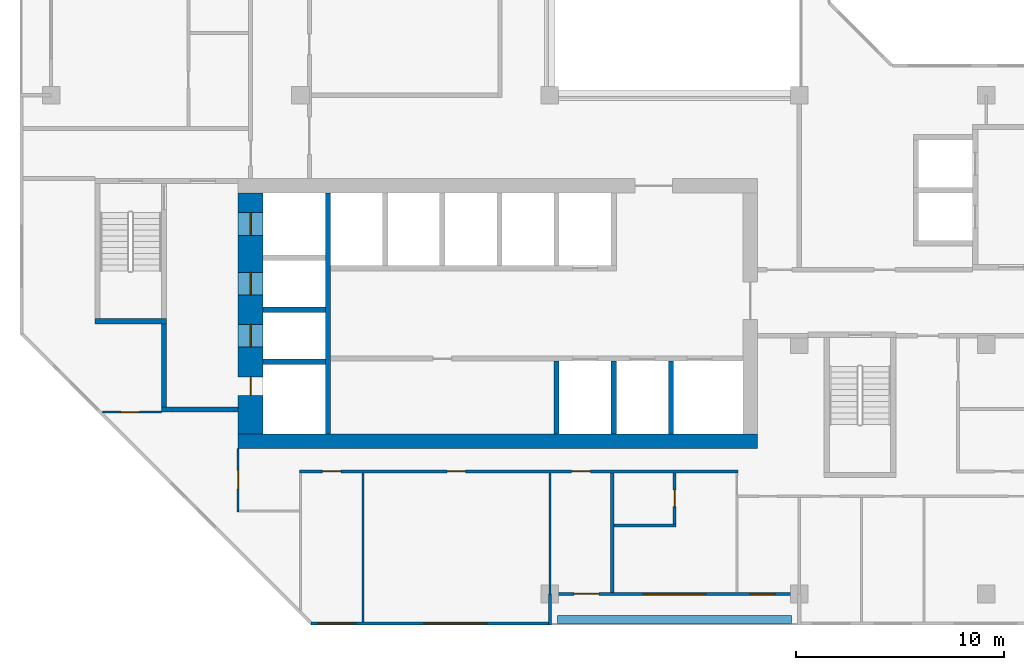
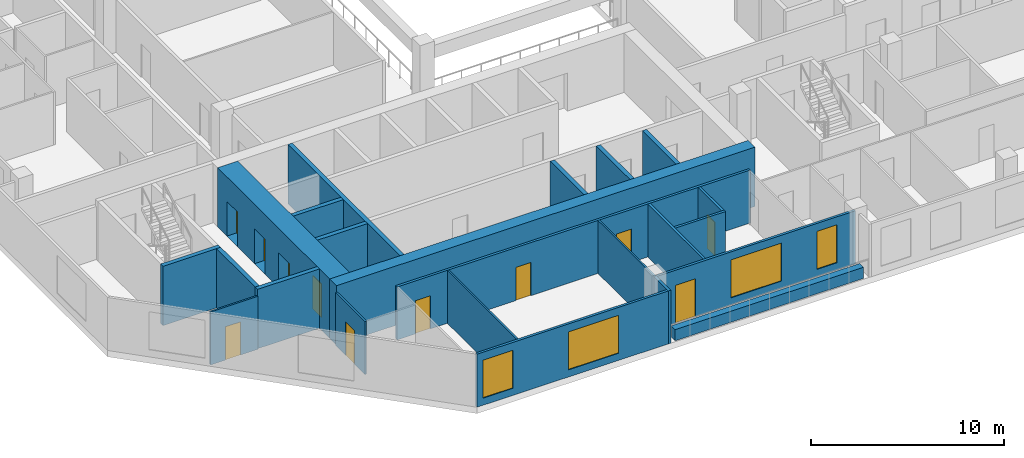
# One storey, part 4 of 14: 23 walls, 11 doors, 4 windows, 15 openings.
"""IFC4 building model written with IfcOpenShell, lengths in metres."""

from ifc_helpers import new_model, si_unit, direction, frame, frame_2d, origin, place, context, subcontext, project, spatial, rectangle, extrude, material, layer, layer_set, type_object, element, fill, save


model = new_model("IFC4")

# Units and contexts
model_context = context("Model", 3, precision=1e-05, world=origin(), true_north=direction((0.0, 1.0)))
body_context = subcontext(model_context, "Body", "Model", "MODEL_VIEW")
ifc_project = project(units=[si_unit("LENGTHUNIT", "METRE"), si_unit("AREAUNIT", "SQUARE_METRE"), si_unit("VOLUMEUNIT", "CUBIC_METRE"), si_unit("PLANEANGLEUNIT", "RADIAN"), si_unit("MASSUNIT", "GRAM", prefix="KILO")], contexts=[model_context])

# Site, building, storey
site_placement = place(None, origin())
site = spatial("IfcSite", under=ifc_project, at=site_placement, CompositionType="ELEMENT")
building_placement = place(site_placement, origin())
building = spatial("IfcBuilding", under=site, at=building_placement, Name="Chenar Terraces", CompositionType="ELEMENT")
storey_placement = place(building_placement, frame((0.0, 0.0, 241.64990234375)))
storey = spatial("IfcBuildingStorey", under=building, at=storey_placement, Name="L57", CompositionType="ELEMENT", Elevation=241.64990234375)

# Wall, openings, doors
ifc_material_1 = material(Name="Concrete C60/75", Category="concrete")
ifc_layer_1 = layer(ifc_material_1, 1.199951171875)
ifc_layer_set_1 = layer_set([ifc_layer_1], Name="Concrete C60/75")
wall_type_1 = type_object("IfcWallType", Name="Core wall 1200 Concrete C60/75", PredefinedType="SHEAR", material=ifc_layer_set_1)
wall_1_placement = place(storey_placement, frame((9.60009765625, 7.699951171875, 0.0), z_axis=(0.0, 0.0, 1.0), x_axis=(0.0, 1.0, 0.0)))
wall_1 = element("IfcWall", 1, at=wall_1_placement, inside=storey, type_object=wall_type_1, Name="Core wall W L57", PredefinedType="SHEAR", context=body_context, shape_type="SweptSolid", body=[
    extrude(rectangle(XDim=11.60009765625, YDim=1.199951171875, at=frame_2d((5.800048828125, 0.0))), origin(), (0.0, 0.0, 1.0), 3.75),
])
opening_1_placement = place(wall_1_placement, frame((4.175048828125, 0.0, 0.0)))
opening_1 = element("IfcOpeningElement", 2, at=opening_1_placement, cuts=wall_1, Name="Opening DL57-LD5", PredefinedType="OPENING", context=body_context, shape_type="SweptSolid", body=[
    extrude(rectangle(XDim=1.10009765625, YDim=2.199951171875, at=frame_2d((0.550048828125, 1.10009765625))), frame((0.0, 0.60986328125, 0.0), z_axis=(0.0, -1.0, 0.0), x_axis=(1.0, 0.0, 0.0)), (0.0, 0.0, 1.0), 1.219970703125),
])
opening_2_placement = place(wall_1_placement, frame((6.675048828125, 0.0, 0.0)))
opening_2 = element("IfcOpeningElement", 3, at=opening_2_placement, cuts=wall_1, Name="Opening DL57-LD6", PredefinedType="OPENING", context=body_context, shape_type="SweptSolid", body=[
    extrude(rectangle(XDim=1.10009765625, YDim=2.199951171875, at=frame_2d((0.550048828125, 1.10009765625))), frame((0.0, 0.60986328125, 0.0), z_axis=(0.0, -1.0, 0.0), x_axis=(1.0, 0.0, 0.0)), (0.0, 0.0, 1.0), 1.219970703125),
])
opening_3_placement = place(wall_1_placement, frame((9.550048828125, 0.0, 0.0)))
opening_3 = element("IfcOpeningElement", 4, at=opening_3_placement, cuts=wall_1, Name="Opening DL57-LD7", PredefinedType="OPENING", context=body_context, shape_type="SweptSolid", body=[
    extrude(rectangle(XDim=1.10009765625, YDim=2.199951171875, at=frame_2d((0.550048828125, 1.10009765625))), frame((0.0, 0.60986328125, 0.0), z_axis=(0.0, -1.0, 0.0), x_axis=(1.0, 0.0, 0.0)), (0.0, 0.0, 1.0), 1.219970703125),
])
opening_4_placement = place(wall_1_placement, frame((1.85009765625, 0.0, 0.0)))
opening_4 = element("IfcOpeningElement", 5, at=opening_4_placement, cuts=wall_1, Name="Opening DL57-C4", PredefinedType="OPENING", context=body_context, shape_type="SweptSolid", body=[
    extrude(rectangle(XDim=0.89990234375, YDim=2.10009765625, at=frame_2d((0.449951171875, 1.050048828125))), frame((0.0, 0.60986328125, 0.0), z_axis=(0.0, -1.0, 0.0), x_axis=(1.0, 0.0, 0.0)), (0.0, 0.0, 1.0), 1.219970703125),
])
ifc_material_2 = material(Name="Stainless steel", Category="steel")
door_type_1 = type_object("IfcDoorType", Name="Lift landing door 1100 x 2200 sliding", OperationType="DOUBLE_DOOR_SLIDING", PredefinedType="DOOR", material=ifc_material_2)
door_1_placement = place(opening_1_placement, origin())
door_1 = element("IfcDoor", 6, at=door_1_placement, inside=storey, type_object=door_type_1, Name="Landing door S1", OperationType="DOUBLE_DOOR_SLIDING", OverallHeight=2.199951171875, OverallWidth=1.10009765625, PredefinedType="DOOR", context=body_context, shape_type="SweptSolid", body=[
    extrude(rectangle(XDim=1.10009765625, YDim=2.199951171875, at=frame_2d((0.550048828125, 1.10009765625))), frame((0.0, 0.02490234375, 0.0), z_axis=(0.0, -1.0, 0.0), x_axis=(1.0, 0.0, 0.0)), (0.0, 0.0, 1.0), 0.050048828125),
])
fill(opening_1, door_1)
door_2_placement = place(opening_2_placement, origin())
door_2 = element("IfcDoor", 7, at=door_2_placement, inside=storey, type_object=door_type_1, Name="Landing door F1", OperationType="DOUBLE_DOOR_SLIDING", OverallHeight=2.199951171875, OverallWidth=1.10009765625, PredefinedType="DOOR", context=body_context, shape_type="SweptSolid", body=[
    extrude(rectangle(XDim=1.10009765625, YDim=2.199951171875, at=frame_2d((0.550048828125, 1.10009765625))), frame((0.0, 0.02490234375, 0.0), z_axis=(0.0, -1.0, 0.0), x_axis=(1.0, 0.0, 0.0)), (0.0, 0.0, 1.0), 0.050048828125),
])
fill(opening_2, door_2)
door_3_placement = place(opening_3_placement, origin())
door_3 = element("IfcDoor", 8, at=door_3_placement, inside=storey, type_object=door_type_1, Name="Landing door F2", OperationType="DOUBLE_DOOR_SLIDING", OverallHeight=2.199951171875, OverallWidth=1.10009765625, PredefinedType="DOOR", context=body_context, shape_type="SweptSolid", body=[
    extrude(rectangle(XDim=1.10009765625, YDim=2.199951171875, at=frame_2d((0.550048828125, 1.10009765625))), frame((0.0, 0.02490234375, 0.0), z_axis=(0.0, -1.0, 0.0), x_axis=(1.0, 0.0, 0.0)), (0.0, 0.0, 1.0), 0.050048828125),
])
fill(opening_3, door_3)
ifc_material_3 = material(Name="Steel-framed fire-resisting door leaf", Category="steel")
door_type_2 = type_object("IfcDoorType", Name="Riser fire door FD60 900 x 2100", OperationType="SINGLE_SWING_LEFT", PredefinedType="DOOR", material=ifc_material_3)
door_4_placement = place(opening_4_placement, frame((0.89990234375, 0.0, 0.0), z_axis=(0.0, 0.0, 1.0), x_axis=(-1.0, 0.0, 0.0)))
door_4 = element("IfcDoor", 9, at=door_4_placement, inside=storey, type_object=door_type_2, Name="Riser door DL57-C4", OperationType="SINGLE_SWING_LEFT", OverallHeight=2.10009765625, OverallWidth=0.89990234375, PredefinedType="DOOR", context=body_context, shape_type="SweptSolid", body=[
    extrude(rectangle(XDim=0.89990234375, YDim=2.10009765625, at=frame_2d((0.449951171875, 1.050048828125))), frame((0.0, 0.02490234375, 0.0), z_axis=(0.0, -1.0, 0.0), x_axis=(1.0, 0.0, 0.0)), (0.0, 0.0, 1.0), 0.050048828125),
])
fill(opening_4, door_4)

# Walls
ifc_material_4 = material(Name="Concrete C60/75", Category="concrete")
ifc_layer_2 = layer(ifc_material_4, 0.25)
ifc_layer_set_2 = layer_set([ifc_layer_2], Name="Concrete C60/75")
wall_type_2 = type_object("IfcWallType", Name="Core wall 250 Concrete C60/75", PredefinedType="SHEAR", material=ifc_layer_set_2)
wall_2_placement = place(storey_placement, frame((13.324951171875, 7.699951171875, 0.0), z_axis=(0.0, 0.0, 1.0), x_axis=(0.0, 1.0, 0.0)))
element("IfcWall", 10, at=wall_2_placement, inside=storey, type_object=wall_type_2, Name="Core wall WI L57", PredefinedType="SHEAR", context=body_context, shape_type="SweptSolid", body=[
    extrude(rectangle(XDim=11.60009765625, YDim=0.25, at=frame_2d((5.800048828125, 0.0))), origin(), (0.0, 0.0, 1.0), 3.75),
])
for number, where, z_axis, x_axis, name in (
    (11, (10.199951171875, 11.175048828125, 0.0), (0.0, 0.0, 1.0), (1.0, 0.0, 0.0), "Core wall HW0 L57"),
    (12, (10.199951171875, 13.675048828125, 0.0), (0.0, 0.0, 1.0), (1.0, 0.0, 0.0), "Core wall HW1 L57"),
):
    element("IfcWall", number, at=place(storey_placement, frame(where, z_axis=z_axis, x_axis=x_axis)), inside=storey, type_object=wall_type_2, Name=name, PredefinedType="SHEAR", context=body_context, shape_type="SweptSolid", body=[
        extrude(rectangle(XDim=3.0, YDim=0.25, at=frame_2d((1.5, 0.0))), origin(), (0.0, 0.0, 1.0), 3.75),
    ])
for number, where, z_axis, x_axis, name in (
    (13, (24.324951171875, 7.699951171875, 0.0), (0.0, 0.0, 1.0), (0.0, 1.0, 0.0), "Core wall SS3 L57"),
    (14, (27.074951171875, 7.699951171875, 0.0), (0.0, 0.0, 1.0), (0.0, 1.0, 0.0), "Core wall SS4 L57"),
    (15, (29.824951171875, 7.699951171875, 0.0), (0.0, 0.0, 1.0), (0.0, 1.0, 0.0), "Core wall SS5 L57"),
):
    element("IfcWall", number, at=place(storey_placement, frame(where, z_axis=z_axis, x_axis=x_axis)), inside=storey, type_object=wall_type_2, Name=name, PredefinedType="SHEAR", context=body_context, shape_type="SweptSolid", body=[
        extrude(rectangle(XDim=3.5, YDim=0.25, at=frame_2d((1.75, 0.0))), origin(), (0.0, 0.0, 1.0), 3.75),
    ])
wall_3_placement = place(storey_placement, frame((2.10009765625, 13.125, 0.0), z_axis=(0.0, 0.0, 1.0), x_axis=(1.0, 0.0, 0.0)))
element("IfcWall", 16, at=wall_3_placement, inside=storey, type_object=wall_type_2, Name="Core wall ST1_S L57", PredefinedType="SHEAR", context=body_context, shape_type="SweptSolid", body=[
    extrude(rectangle(XDim=3.449951171875, YDim=0.25, at=frame_2d((1.72509765625, 0.0))), origin(), (0.0, 0.0, 1.0), 3.75),
])
wall_4_placement = place(storey_placement, frame((5.300048828125, 8.875, 0.0), z_axis=(0.0, 0.0, 1.0), x_axis=(1.0, 0.0, 0.0)))
element("IfcWall", 17, at=wall_4_placement, inside=storey, type_object=wall_type_2, Name="Core wall FFL_S L57", PredefinedType="SHEAR", context=body_context, shape_type="SweptSolid", body=[
    extrude(rectangle(XDim=3.699951171875, YDim=0.25, at=frame_2d((1.85009765625, 0.0))), origin(), (0.0, 0.0, 1.0), 3.75),
])
wall_5_placement = place(storey_placement, frame((5.425048828125, 9.0, 0.0), z_axis=(0.0, 0.0, 1.0), x_axis=(0.0, 1.0, 0.0)))
element("IfcWall", 18, at=wall_5_placement, inside=storey, type_object=wall_type_2, Name="Core wall FFL_W L57", PredefinedType="SHEAR", context=body_context, shape_type="SweptSolid", body=[
    extrude(rectangle(XDim=4.0, YDim=0.25, at=frame_2d((2.0, 0.0))), origin(), (0.0, 0.0, 1.0), 3.75),
])
ifc_material_5 = material(Name="Concrete C60/75", Category="concrete")
ifc_layer_3 = layer(ifc_material_5, 0.699951171875)
ifc_layer_set_3 = layer_set([ifc_layer_3], Name="Concrete C60/75")
wall_type_3 = type_object("IfcWallType", Name="Core wall 700 Concrete C60/75", PredefinedType="SHEAR", material=ifc_layer_set_3)
wall_6_placement = place(storey_placement, frame((9.0, 7.35009765625, 0.0), z_axis=(0.0, 0.0, 1.0), x_axis=(1.0, 0.0, 0.0)))
element("IfcWall", 19, at=wall_6_placement, inside=storey, type_object=wall_type_3, Name="Core wall S L57", PredefinedType="SHEAR", context=body_context, shape_type="SweptSolid", body=[
    extrude(rectangle(XDim=25.0, YDim=0.699951171875, at=frame_2d((12.5, 0.0))), origin(), (0.0, 0.0, 1.0), 3.75),
])

# Wall, openings, windows
ifc_material_6 = material(Name="Aluminium framed glazing", Category="aluminium")
ifc_layer_4 = layer(ifc_material_6, 0.14990234375)
ifc_layer_set_4 = layer_set([ifc_layer_4], Name="Aluminium framed glazing")
wall_type_4 = type_object("IfcWallType", Name="Glazed flush facade wall 150", PredefinedType="SOLIDWALL", material=ifc_layer_set_4)
wall_7_placement = place(storey_placement, frame((12.5, -1.425048828125, 0.0), z_axis=(0.0, 0.0, 1.0), x_axis=(1.0, 0.0, 0.0)))
wall_7 = element("IfcWall", 20, at=wall_7_placement, inside=storey, type_object=wall_type_4, Name="Glazed flush facade wall", PredefinedType="SOLIDWALL", context=body_context, shape_type="SweptSolid", body=[
    extrude(rectangle(XDim=11.425048828125, YDim=0.14990234375, at=frame_2d((5.71240234375, 0.0))), origin(), (0.0, 0.0, 1.0), 3.35009765625),
])
opening_5_placement = place(wall_7_placement, frame((0.35009765625, 0.0, 0.449951171875)))
opening_5 = element("IfcOpeningElement", 21, at=opening_5_placement, cuts=wall_7, Name="Opening W180x240", PredefinedType="OPENING", context=body_context, shape_type="SweptSolid", body=[
    extrude(rectangle(XDim=1.800048828125, YDim=2.39990234375, at=frame_2d((0.89990234375, 1.199951171875))), frame((0.0, 0.0849609375, 0.0), z_axis=(0.0, -1.0, 0.0), x_axis=(1.0, 0.0, 0.0)), (0.0, 0.0, 1.0), 0.169921875),
])
opening_6_placement = place(wall_7_placement, frame((5.46240234375, 0.0, 0.449951171875)))
opening_6 = element("IfcOpeningElement", 22, at=opening_6_placement, cuts=wall_7, Name="Opening W300x240", PredefinedType="OPENING", context=body_context, shape_type="SweptSolid", body=[
    extrude(rectangle(XDim=3.0, YDim=2.39990234375, at=frame_2d((1.5, 1.199951171875))), frame((0.0, 0.0849609375, 0.0), z_axis=(0.0, -1.0, 0.0), x_axis=(1.0, 0.0, 0.0)), (0.0, 0.0, 1.0), 0.169921875),
])
ifc_material_7 = material(Name="Low emissivity double glazing, aluminium frame", Category="aluminium")
window_type_1 = type_object("IfcWindowType", Name="Fixed light 1800 x 2400", PartitioningType="SINGLE_PANEL", PredefinedType="WINDOW", material=ifc_material_7)
window_1_placement = place(opening_5_placement, origin())
window_1 = element("IfcWindow", 23, at=window_1_placement, inside=storey, type_object=window_type_1, Name="Window", OverallHeight=2.39990234375, OverallWidth=1.800048828125, PartitioningType="SINGLE_PANEL", PredefinedType="WINDOW", context=body_context, shape_type="SweptSolid", body=[
    extrude(rectangle(XDim=1.800048828125, YDim=2.39990234375, at=frame_2d((0.89990234375, 1.199951171875))), frame((0.0, 0.030029296875, 0.0), z_axis=(0.0, -1.0, 0.0), x_axis=(1.0, 0.0, 0.0)), (0.0, 0.0, 1.0), 0.06005859375),
])
fill(opening_5, window_1)
ifc_material_8 = material(Name="Low emissivity double glazing, aluminium frame", Category="aluminium")
window_type_2 = type_object("IfcWindowType", Name="Fixed light 3000 x 2400", PartitioningType="SINGLE_PANEL", PredefinedType="WINDOW", material=ifc_material_8)
window_2_placement = place(opening_6_placement, origin())
window_2 = element("IfcWindow", 24, at=window_2_placement, inside=storey, type_object=window_type_2, Name="Window", OverallHeight=2.39990234375, OverallWidth=3.0, PartitioningType="SINGLE_PANEL", PredefinedType="WINDOW", context=body_context, shape_type="SweptSolid", body=[
    extrude(rectangle(XDim=3.0, YDim=2.39990234375, at=frame_2d((1.5, 1.199951171875))), frame((0.0, 0.030029296875, 0.0), z_axis=(0.0, -1.0, 0.0), x_axis=(1.0, 0.0, 0.0)), (0.0, 0.0, 1.0), 0.06005859375),
])
fill(opening_6, window_2)

# Wall, openings, windows, door
ifc_material_9 = material(Name="Aluminium framed glazing", Category="aluminium")
ifc_layer_5 = layer(ifc_material_9, 0.14990234375)
ifc_layer_set_5 = layer_set([ifc_layer_5], Name="Aluminium framed glazing")
wall_type_5 = type_object("IfcWallType", Name="Glazed loggia back wall 150", PredefinedType="SOLIDWALL", material=ifc_layer_set_5)
wall_8_placement = place(storey_placement, frame((24.074951171875, 0.0, 0.0), z_axis=(0.0, 0.0, 1.0), x_axis=(1.0, 0.0, 0.0)))
wall_8 = element("IfcWall", 25, at=wall_8_placement, inside=storey, type_object=wall_type_5, Name="Glazed loggia back wall", PredefinedType="SOLIDWALL", context=body_context, shape_type="SweptSolid", body=[
    extrude(rectangle(XDim=11.85009765625, YDim=0.14990234375, at=frame_2d((5.925048828125, 0.0))), origin(), (0.0, 0.0, 1.0), 3.35009765625),
])
opening_7_placement = place(wall_8_placement, frame((1.08740234375, 0.0, 0.0)))
opening_7 = element("IfcOpeningElement", 26, at=opening_7_placement, cuts=wall_8, Name="Opening DL57-G6", PredefinedType="OPENING", context=body_context, shape_type="SweptSolid", body=[
    extrude(rectangle(XDim=1.199951171875, YDim=2.39990234375, at=frame_2d((0.60009765625, 1.199951171875))), frame((0.0, 0.0849609375, 0.0), z_axis=(0.0, -1.0, 0.0), x_axis=(1.0, 0.0, 0.0)), (0.0, 0.0, 1.0), 0.169921875),
])
opening_8_placement = place(wall_8_placement, frame((4.425048828125, 0.0, 0.449951171875)))
opening_8 = element("IfcOpeningElement", 27, at=opening_8_placement, cuts=wall_8, Name="Opening W300x240", PredefinedType="OPENING", context=body_context, shape_type="SweptSolid", body=[
    extrude(rectangle(XDim=3.0, YDim=2.39990234375, at=frame_2d((1.5, 1.199951171875))), frame((0.0, 0.0849609375, 0.0), z_axis=(0.0, -1.0, 0.0), x_axis=(1.0, 0.0, 0.0)), (0.0, 0.0, 1.0), 0.169921875),
])
opening_9_placement = place(wall_8_placement, frame((9.5625, 0.0, 0.449951171875)))
opening_9 = element("IfcOpeningElement", 28, at=opening_9_placement, cuts=wall_8, Name="Opening W120x240", PredefinedType="OPENING", context=body_context, shape_type="SweptSolid", body=[
    extrude(rectangle(XDim=1.199951171875, YDim=2.39990234375, at=frame_2d((0.60009765625, 1.199951171875))), frame((0.0, 0.0849609375, 0.0), z_axis=(0.0, -1.0, 0.0), x_axis=(1.0, 0.0, 0.0)), (0.0, 0.0, 1.0), 0.169921875),
])
ifc_material_10 = material(Name="Low emissivity double glazing, aluminium frame", Category="aluminium")
window_type_3 = type_object("IfcWindowType", Name="Fixed light 1200 x 2400", PartitioningType="SINGLE_PANEL", PredefinedType="WINDOW", material=ifc_material_10)
window_3_placement = place(opening_9_placement, origin())
window_3 = element("IfcWindow", 29, at=window_3_placement, inside=storey, type_object=window_type_3, Name="Window", OverallHeight=2.39990234375, OverallWidth=1.199951171875, PartitioningType="SINGLE_PANEL", PredefinedType="WINDOW", context=body_context, shape_type="SweptSolid", body=[
    extrude(rectangle(XDim=1.199951171875, YDim=2.39990234375, at=frame_2d((0.60009765625, 1.199951171875))), frame((0.0, 0.030029296875, 0.0), z_axis=(0.0, -1.0, 0.0), x_axis=(1.0, 0.0, 0.0)), (0.0, 0.0, 1.0), 0.06005859375),
])
fill(opening_9, window_3)
window_4_placement = place(opening_8_placement, origin())
window_4 = element("IfcWindow", 30, at=window_4_placement, inside=storey, type_object=window_type_2, Name="Window", OverallHeight=2.39990234375, OverallWidth=3.0, PartitioningType="SINGLE_PANEL", PredefinedType="WINDOW", context=body_context, shape_type="SweptSolid", body=[
    extrude(rectangle(XDim=3.0, YDim=2.39990234375, at=frame_2d((1.5, 1.199951171875))), frame((0.0, 0.030029296875, 0.0), z_axis=(0.0, -1.0, 0.0), x_axis=(1.0, 0.0, 0.0)), (0.0, 0.0, 1.0), 0.06005859375),
])
fill(opening_8, window_4)
ifc_material_11 = material(Name="Low emissivity double glazing, aluminium frame", Category="aluminium")
door_type_3 = type_object("IfcDoorType", Name="Loggia glazed double door 1200 x 2400", OperationType="DOUBLE_DOOR_SINGLE_SWING", PredefinedType="DOOR", material=ifc_material_11)
door_5_placement = place(opening_7_placement, frame((1.199951171875, 0.0, 0.0), z_axis=(0.0, 0.0, 1.0), x_axis=(-1.0, 0.0, 0.0)))
door_5 = element("IfcDoor", 31, at=door_5_placement, inside=storey, type_object=door_type_3, Name="Loggia glazed door", OperationType="DOUBLE_DOOR_SINGLE_SWING", OverallHeight=2.39990234375, OverallWidth=1.199951171875, PredefinedType="DOOR", context=body_context, shape_type="SweptSolid", body=[
    extrude(rectangle(XDim=1.199951171875, YDim=2.39990234375, at=frame_2d((0.60009765625, 1.199951171875))), frame((0.0, 0.02490234375, 0.0), z_axis=(0.0, -1.0, 0.0), x_axis=(1.0, 0.0, 0.0)), (0.0, 0.0, 1.0), 0.050048828125),
])
fill(opening_7, door_5)

# Wall, opening, door
ifc_material_12 = material(Name="Gypsum board on steel studs", Category="steel")
ifc_layer_6 = layer(ifc_material_12, 0.10009765625)
ifc_layer_set_6 = layer_set([ifc_layer_6], Name="Gypsum board on steel studs")
wall_type_6 = type_object("IfcWallType", Name="Gypsum partition 100", PredefinedType="PARTITIONING", material=ifc_layer_set_6)
wall_9_placement = place(storey_placement, frame((2.4609375, 8.75, 0.0), z_axis=(0.0, 0.0, 1.0), x_axis=(1.0, 0.0, 0.0)))
wall_9 = element("IfcWall", 32, at=wall_9_placement, inside=storey, type_object=wall_type_6, Name="Partition L57-012", PredefinedType="PARTITIONING", context=body_context, shape_type="SweptSolid", body=[
    extrude(rectangle(XDim=2.839111328125, YDim=0.10009765625, at=frame_2d((1.41943359375, 0.0))), origin(), (0.0, 0.0, 1.0), 3.35009765625),
])
opening_10_placement = place(wall_9_placement, frame((0.888916015625, 0.0, 0.0)))
opening_10 = element("IfcOpeningElement", 33, at=opening_10_placement, cuts=wall_9, Name="Opening DL57-50", PredefinedType="OPENING", context=body_context, shape_type="SweptSolid", body=[
    extrude(rectangle(XDim=0.89990234375, YDim=2.10009765625, at=frame_2d((0.449951171875, 1.050048828125))), frame((0.0, 0.06005859375, 0.0), z_axis=(0.0, -1.0, 0.0), x_axis=(1.0, 0.0, 0.0)), (0.0, 0.0, 1.0), 0.1201171875),
])
ifc_material_13 = material(Name="Veneered timber door leaf", Category="wood")
door_type_4 = type_object("IfcDoorType", Name="Door 900 x 2100", OperationType="SINGLE_SWING_LEFT", PredefinedType="DOOR", material=ifc_material_13)
door_6_placement = place(opening_10_placement, frame((0.89990234375, 0.0, 0.0), z_axis=(0.0, 0.0, 1.0), x_axis=(-1.0, 0.0, 0.0)))
door_6 = element("IfcDoor", 34, at=door_6_placement, inside=storey, type_object=door_type_4, Name="Door DL57-50", OperationType="SINGLE_SWING_RIGHT", OverallHeight=2.10009765625, OverallWidth=0.89990234375, PredefinedType="DOOR", context=body_context, shape_type="SweptSolid", body=[
    extrude(rectangle(XDim=0.89990234375, YDim=2.10009765625, at=frame_2d((0.449951171875, 1.050048828125))), frame((0.0, 0.02490234375, 0.0), z_axis=(0.0, -1.0, 0.0), x_axis=(1.0, 0.0, 0.0)), (0.0, 0.0, 1.0), 0.050048828125),
])
fill(opening_10, door_6)

wall_10_placement = place(storey_placement, frame((9.0, 3.949951171875, 0.0), z_axis=(0.0, 0.0, 1.0), x_axis=(0.0, 1.0, 0.0)))
wall_10 = element("IfcWall", 35, at=wall_10_placement, inside=storey, type_object=wall_type_6, Name="Partition L57-031", PredefinedType="PARTITIONING", context=body_context, shape_type="SweptSolid", body=[
    extrude(rectangle(XDim=3.050048828125, YDim=0.10009765625, at=frame_2d((1.52490234375, 0.0))), origin(), (0.0, 0.0, 1.0), 3.35009765625),
])
opening_11_placement = place(wall_10_placement, frame((1.10009765625, 0.0, 0.0)))
opening_11 = element("IfcOpeningElement", 36, at=opening_11_placement, cuts=wall_10, Name="Opening DL57-49", PredefinedType="OPENING", context=body_context, shape_type="SweptSolid", body=[
    extrude(rectangle(XDim=0.89990234375, YDim=2.10009765625, at=frame_2d((0.449951171875, 1.050048828125))), frame((0.0, 0.06005859375, 0.0), z_axis=(0.0, -1.0, 0.0), x_axis=(1.0, 0.0, 0.0)), (0.0, 0.0, 1.0), 0.1201171875),
])
door_7_placement = place(opening_11_placement, origin())
door_7 = element("IfcDoor", 37, at=door_7_placement, inside=storey, type_object=door_type_4, Name="Door DL57-49", OperationType="SINGLE_SWING_LEFT", OverallHeight=2.10009765625, OverallWidth=0.89990234375, PredefinedType="DOOR", context=body_context, shape_type="SweptSolid", body=[
    extrude(rectangle(XDim=0.89990234375, YDim=2.10009765625, at=frame_2d((0.449951171875, 1.050048828125))), frame((0.0, 0.02490234375, 0.0), z_axis=(0.0, -1.0, 0.0), x_axis=(1.0, 0.0, 0.0)), (0.0, 0.0, 1.0), 0.050048828125),
])
fill(opening_11, door_7)

# Walls
wall_11_placement = place(storey_placement, frame((15.0, -1.35009765625, 0.0), z_axis=(0.0, 0.0, 1.0), x_axis=(0.0, 1.0, 0.0)))
element("IfcWall", 38, at=wall_11_placement, inside=storey, type_object=wall_type_6, Name="Partition L57-046", PredefinedType="PARTITIONING", context=body_context, shape_type="SweptSolid", body=[
    extrude(rectangle(XDim=7.175048828125, YDim=0.10009765625, at=frame_2d((3.58740234375, 0.0))), origin(), (0.0, 0.0, 1.0), 3.35009765625),
])
wall_12_placement = place(storey_placement, frame((24.0, 0.0, 0.0), z_axis=(0.0, 0.0, 1.0), x_axis=(0.0, 1.0, 0.0)))
element("IfcWall", 39, at=wall_12_placement, inside=storey, type_object=wall_type_6, Name="Partition L57-059", PredefinedType="PARTITIONING", context=body_context, shape_type="SweptSolid", body=[
    extrude(rectangle(XDim=5.824951171875, YDim=0.10009765625, at=frame_2d((2.91259765625, 0.0))), origin(), (0.0, 0.0, 1.0), 3.35009765625),
])
ifc_material_14 = material(Name="Terracotta cladding on insulated backing", Category="masonry")
ifc_layer_7 = layer(ifc_material_14, 0.14990234375)
ifc_layer_set_7 = layer_set([ifc_layer_7], Name="Terracotta cladding on insulated backing")
wall_type_7 = type_object("IfcWallType", Name="Loggia return wall 150", PredefinedType="SOLIDWALL", material=ifc_layer_set_7)
wall_13_placement = place(storey_placement, frame((24.0, -1.5, 0.0), z_axis=(0.0, 0.0, 1.0), x_axis=(0.0, 1.0, 0.0)))
element("IfcWall", 40, at=wall_13_placement, inside=storey, type_object=wall_type_7, Name="Loggia return wall", PredefinedType="SOLIDWALL", context=body_context, shape_type="SweptSolid", body=[
    extrude(rectangle(XDim=1.5, YDim=0.14990234375, at=frame_2d((0.75, 0.0))), origin(), (0.0, 0.0, 1.0), 3.35009765625),
])
ifc_material_15 = material(Name="GRP planter trough")
ifc_layer_8 = layer(ifc_material_15, 0.39990234375)
ifc_layer_set_8 = layer_set([ifc_layer_8], Name="GRP planter trough")
wall_type_8 = type_object("IfcWallType", Name="Vertical greenery planter 400", PredefinedType="SOLIDWALL", material=ifc_layer_set_8)
wall_14_placement = place(storey_placement, frame((24.375, -1.22900390625, 0.0), z_axis=(0.0, 0.0, 1.0), x_axis=(1.0, 0.0, 0.0)))
element("IfcWall", 41, at=wall_14_placement, inside=storey, type_object=wall_type_8, Name="Vertical greenery planter", PredefinedType="SOLIDWALL", context=body_context, shape_type="SweptSolid", body=[
    extrude(rectangle(XDim=11.25, YDim=0.39990234375, at=frame_2d((5.625, 0.0))), origin(), (0.0, 0.0, 1.0), 0.7001953125),
])

# Wall, openings, doors
ifc_material_16 = material(Name="Moisture-resistant gypsum board on steel studs", Category="steel")
ifc_layer_9 = layer(ifc_material_16, 0.14990234375)
ifc_layer_set_9 = layer_set([ifc_layer_9], Name="Moisture-resistant gypsum board on steel studs")
wall_type_9 = type_object("IfcWallType", Name="Wet-room partition 150", PredefinedType="PARTITIONING", material=ifc_layer_set_9)
wall_15_placement = place(storey_placement, frame((11.949951171875, 5.89990234375, 0.0), z_axis=(0.0, 0.0, 1.0), x_axis=(1.0, 0.0, 0.0)))
wall_15 = element("IfcWall", 42, at=wall_15_placement, inside=storey, type_object=wall_type_9, Name="Partition L57-034", PredefinedType="PARTITIONING", context=body_context, shape_type="SweptSolid", body=[
    extrude(rectangle(XDim=21.10009765625, YDim=0.14990234375, at=frame_2d((10.550048828125, 0.0))), origin(), (0.0, 0.0, 1.0), 3.35009765625),
])
opening_12_placement = place(wall_15_placement, frame((1.10009765625, 0.0, 0.0)))
opening_12 = element("IfcOpeningElement", 43, at=opening_12_placement, cuts=wall_15, Name="Opening DL57-43", PredefinedType="OPENING", context=body_context, shape_type="SweptSolid", body=[
    extrude(rectangle(XDim=0.89990234375, YDim=2.10009765625, at=frame_2d((0.449951171875, 1.050048828125))), frame((0.0, 0.0849609375, 0.0), z_axis=(0.0, -1.0, 0.0), x_axis=(1.0, 0.0, 0.0)), (0.0, 0.0, 1.0), 0.169921875),
])
opening_13_placement = place(wall_15_placement, frame((13.10009765625, 0.0, 0.0)))
opening_13 = element("IfcOpeningElement", 44, at=opening_13_placement, cuts=wall_15, Name="Opening DL57-44", PredefinedType="OPENING", context=body_context, shape_type="SweptSolid", body=[
    extrude(rectangle(XDim=0.89990234375, YDim=2.10009765625, at=frame_2d((0.449951171875, 1.050048828125))), frame((0.0, 0.0849609375, 0.0), z_axis=(0.0, -1.0, 0.0), x_axis=(1.0, 0.0, 0.0)), (0.0, 0.0, 1.0), 0.169921875),
])
opening_14_placement = place(wall_15_placement, frame((7.10009765625, 0.0, 0.0)))
opening_14 = element("IfcOpeningElement", 45, at=opening_14_placement, cuts=wall_15, Name="Opening DL57-55", PredefinedType="OPENING", context=body_context, shape_type="SweptSolid", body=[
    extrude(rectangle(XDim=0.89990234375, YDim=2.10009765625, at=frame_2d((0.449951171875, 1.050048828125))), frame((0.0, 0.0849609375, 0.0), z_axis=(0.0, -1.0, 0.0), x_axis=(1.0, 0.0, 0.0)), (0.0, 0.0, 1.0), 0.169921875),
])
door_8_placement = place(opening_12_placement, frame((0.89990234375, 0.0, 0.0), z_axis=(0.0, 0.0, 1.0), x_axis=(-1.0, 0.0, 0.0)))
door_8 = element("IfcDoor", 46, at=door_8_placement, inside=storey, type_object=door_type_4, Name="Door DL57-43", OperationType="SINGLE_SWING_RIGHT", OverallHeight=2.10009765625, OverallWidth=0.89990234375, PredefinedType="DOOR", context=body_context, shape_type="SweptSolid", body=[
    extrude(rectangle(XDim=0.89990234375, YDim=2.10009765625, at=frame_2d((0.449951171875, 1.050048828125))), frame((0.0, 0.02490234375, 0.0), z_axis=(0.0, -1.0, 0.0), x_axis=(1.0, 0.0, 0.0)), (0.0, 0.0, 1.0), 0.050048828125),
])
fill(opening_12, door_8)
door_9_placement = place(opening_13_placement, frame((0.89990234375, 0.0, 0.0), z_axis=(0.0, 0.0, 1.0), x_axis=(-1.0, 0.0, 0.0)))
door_9 = element("IfcDoor", 47, at=door_9_placement, inside=storey, type_object=door_type_4, Name="Door DL57-44", OperationType="SINGLE_SWING_RIGHT", OverallHeight=2.10009765625, OverallWidth=0.89990234375, PredefinedType="DOOR", context=body_context, shape_type="SweptSolid", body=[
    extrude(rectangle(XDim=0.89990234375, YDim=2.10009765625, at=frame_2d((0.449951171875, 1.050048828125))), frame((0.0, 0.02490234375, 0.0), z_axis=(0.0, -1.0, 0.0), x_axis=(1.0, 0.0, 0.0)), (0.0, 0.0, 1.0), 0.050048828125),
])
fill(opening_13, door_9)
door_10_placement = place(opening_14_placement, frame((0.89990234375, 0.0, 0.0), z_axis=(0.0, 0.0, 1.0), x_axis=(-1.0, 0.0, 0.0)))
door_10 = element("IfcDoor", 48, at=door_10_placement, inside=storey, type_object=door_type_4, Name="Door DL57-55", OperationType="SINGLE_SWING_RIGHT", OverallHeight=2.10009765625, OverallWidth=0.89990234375, PredefinedType="DOOR", context=body_context, shape_type="SweptSolid", body=[
    extrude(rectangle(XDim=0.89990234375, YDim=2.10009765625, at=frame_2d((0.449951171875, 1.050048828125))), frame((0.0, 0.02490234375, 0.0), z_axis=(0.0, -1.0, 0.0), x_axis=(1.0, 0.0, 0.0)), (0.0, 0.0, 1.0), 0.050048828125),
])
fill(opening_14, door_10)

# Walls
wall_16_placement = place(storey_placement, frame((27.0, 0.073974609375, 0.0), z_axis=(0.0, 0.0, 1.0), x_axis=(0.0, 1.0, 0.0)))
element("IfcWall", 49, at=wall_16_placement, inside=storey, type_object=wall_type_9, Name="Partition L57-060", PredefinedType="PARTITIONING", context=body_context, shape_type="SweptSolid", body=[
    extrude(rectangle(XDim=5.7509765625, YDim=0.14990234375, at=frame_2d((2.87548828125, 0.0))), origin(), (0.0, 0.0, 1.0), 3.35009765625),
])
wall_17_placement = place(storey_placement, frame((27.074951171875, 3.300048828125, 0.0), z_axis=(0.0, 0.0, 1.0), x_axis=(1.0, 0.0, 0.0)))
element("IfcWall", 50, at=wall_17_placement, inside=storey, type_object=wall_type_9, Name="Partition L57-061", PredefinedType="PARTITIONING", context=body_context, shape_type="SweptSolid", body=[
    extrude(rectangle(XDim=3.0, YDim=0.14990234375, at=frame_2d((1.5, 0.0))), origin(), (0.0, 0.0, 1.0), 3.35009765625),
])

# Wall, opening, door
wall_18_placement = place(storey_placement, frame((30.0, 3.375, 0.0), z_axis=(0.0, 0.0, 1.0), x_axis=(0.0, 1.0, 0.0)))
wall_18 = element("IfcWall", 51, at=wall_18_placement, inside=storey, type_object=wall_type_9, Name="Partition L57-062", PredefinedType="PARTITIONING", context=body_context, shape_type="SweptSolid", body=[
    extrude(rectangle(XDim=2.449951171875, YDim=0.14990234375, at=frame_2d((1.22509765625, 0.0))), origin(), (0.0, 0.0, 1.0), 3.35009765625),
])
opening_15_placement = place(wall_18_placement, frame((0.824951171875, 0.0, 0.0)))
opening_15 = element("IfcOpeningElement", 52, at=opening_15_placement, cuts=wall_18, Name="Opening DL57-52", PredefinedType="OPENING", context=body_context, shape_type="SweptSolid", body=[
    extrude(rectangle(XDim=0.800048828125, YDim=2.10009765625, at=frame_2d((0.39990234375, 1.050048828125))), frame((0.0, 0.0849609375, 0.0), z_axis=(0.0, -1.0, 0.0), x_axis=(1.0, 0.0, 0.0)), (0.0, 0.0, 1.0), 0.169921875),
])
ifc_material_17 = material(Name="Veneered timber door leaf", Category="wood")
door_type_5 = type_object("IfcDoorType", Name="Door 800 x 2100", OperationType="SINGLE_SWING_LEFT", PredefinedType="DOOR", material=ifc_material_17)
door_11_placement = place(opening_15_placement, origin())
door_11 = element("IfcDoor", 53, at=door_11_placement, inside=storey, type_object=door_type_5, Name="Door DL57-52", OperationType="SINGLE_SWING_RIGHT", OverallHeight=2.10009765625, OverallWidth=0.800048828125, PredefinedType="DOOR", context=body_context, shape_type="SweptSolid", body=[
    extrude(rectangle(XDim=0.800048828125, YDim=2.10009765625, at=frame_2d((0.39990234375, 1.050048828125))), frame((0.0, 0.02490234375, 0.0), z_axis=(0.0, -1.0, 0.0), x_axis=(1.0, 0.0, 0.0)), (0.0, 0.0, 1.0), 0.050048828125),
])
fill(opening_15, door_11)

save(model, "model.ifc")
